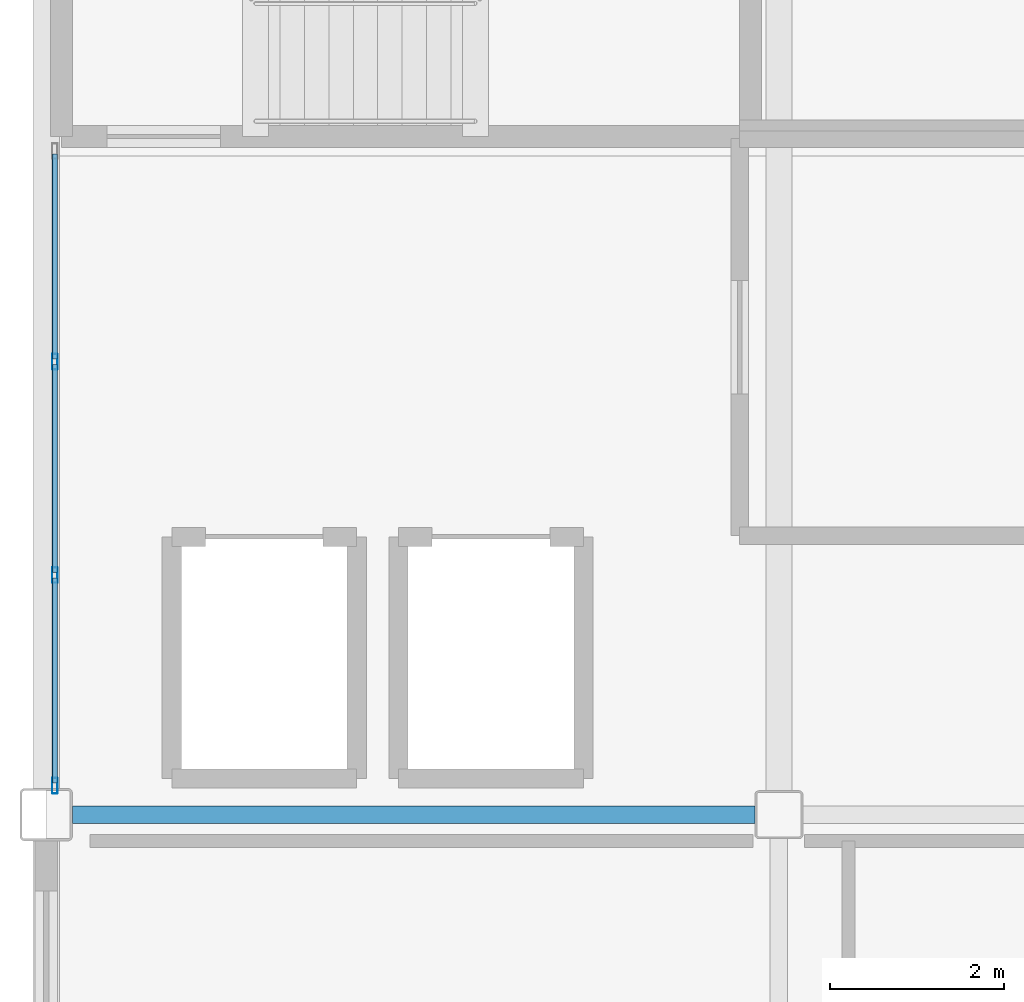
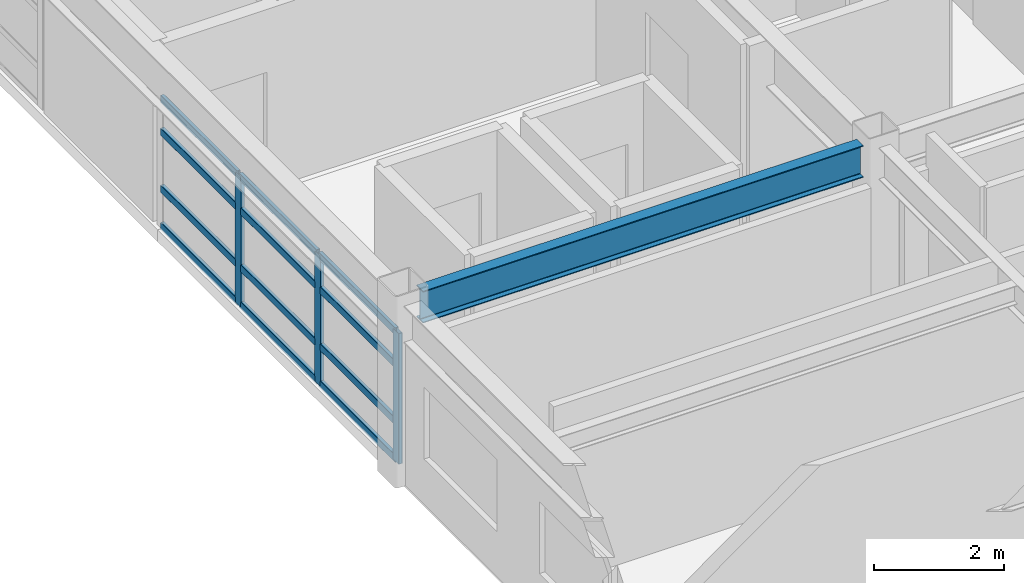
# One storey, part 12 of 36: 15 members, 1 beam, 1 element without a shape of its own.
"""IFC4 building model written with IfcOpenShell, lengths in metres."""

import ifcopenshell
import ifcopenshell.guid

model = None  # the IFC model being written
_history = None  # IfcOwnerHistory: only IFC2X3 demands one
_inside = {}  # id of a spatial element -> (the spatial element, [elements in it])
_under = {}  # id of a project, library or spatial element -> (it, [spatial elements below it])
_declared = {}  # id of a project -> (the project, [libraries it declares])
_typed = {}  # id of a type object -> (the type object, [elements of that type])
_made_of = {}  # id of a material, layer set ... -> (it, [elements and type objects made of it])


def new_model(schema):
    """Start an empty IFC model of exactly this schema.

    Asked for "IFC4X3", IfcOpenShell would pick the latest addendum, in which some entities
    have other attributes; the version numbers below select the first issue.
    IFC2X3 requires an IfcOwnerHistory on every rooted entity: one is made here for all.
    """
    global model, _history
    if schema == "IFC4X3":
        model = ifcopenshell.file(schema_version=(4, 3, 0, 0))
    else:
        model = ifcopenshell.file(schema=schema)
    _inside.clear()
    _under.clear()
    _declared.clear()
    _typed.clear()
    _made_of.clear()
    _history = None
    if model.schema == "IFC2X3":
        org = make("IfcOrganization", Name="unknown")
        user = make(
            "IfcPersonAndOrganization",
            ThePerson=make("IfcPerson", FamilyName="unknown"),
            TheOrganization=org,
        )
        app = make(
            "IfcApplication",
            ApplicationDeveloper=org,
            Version="unknown",
            ApplicationFullName="unknown",
            ApplicationIdentifier="unknown",
        )
        _history = make(
            "IfcOwnerHistory",
            OwningUser=user,
            OwningApplication=app,
            ChangeAction="ADDED",
            CreationDate=0,
        )
    return model


def make(cls, **values):
    """One entity of the class cls with the attributes given. An attribute that is None is left unset."""
    return model.create_entity(
        cls, **{name: value for name, value in values.items() if value is not None}
    )


def rooted(cls, **values):
    """An entity with a GlobalId (a new one), such as an element, a storey or a relation."""
    return make(cls, GlobalId=ifcopenshell.guid.new(), OwnerHistory=_history, **values)


def si_unit(unit_type, name, prefix=None):
    """IfcSIUnit, for example si_unit("LENGTHUNIT", "METRE", prefix="MILLI")."""
    return make("IfcSIUnit", UnitType=unit_type, Prefix=prefix, Name=name)


def assignment(units):
    """IfcUnitAssignment: the units of a project."""
    return None if units is None else make("IfcUnitAssignment", Units=units)


def point(xyz):
    """IfcCartesianPoint."""
    return None if xyz is None else make("IfcCartesianPoint", Coordinates=xyz)


def direction(xyz):
    """IfcDirection."""
    return None if xyz is None else make("IfcDirection", DirectionRatios=xyz)


def frame(location, z_axis=None, x_axis=None):
    """IfcAxis2Placement3D, a coordinate frame: its origin and axes. An axis left out is left unset."""
    return make(
        "IfcAxis2Placement3D",
        Location=point(location),
        Axis=direction(z_axis),
        RefDirection=direction(x_axis),
    )


def frame_2d(location, x_axis=None):
    """IfcAxis2Placement2D, a coordinate frame in the plane: its origin and x axis."""
    return make(
        "IfcAxis2Placement2D", Location=point(location), RefDirection=direction(x_axis)
    )


def origin():
    """The frame at (0, 0, 0) with its axes left unset."""
    return frame((0.0, 0.0, 0.0))


def origin_2d():
    """The frame at (0, 0) in the plane with its x axis left unset."""
    return frame_2d((0.0, 0.0))


def place(relative_to, where):
    """IfcLocalPlacement: puts the frame where relative to a parent placement (None: the world)."""
    return make(
        "IfcLocalPlacement", PlacementRelTo=relative_to, RelativePlacement=where
    )


def context(
    kind, dimensions, precision=None, world=None, true_north=None, identifier=None
):
    """IfcGeometricRepresentationContext, for example the 3D "Model" context."""
    return make(
        "IfcGeometricRepresentationContext",
        ContextIdentifier=identifier,
        ContextType=kind,
        CoordinateSpaceDimension=dimensions,
        Precision=precision,
        WorldCoordinateSystem=world,
        TrueNorth=true_north,
    )


def subcontext(parent, identifier, kind, view, scale=None):
    """IfcGeometricRepresentationSubContext, for example "Body" below "Model"."""
    return make(
        "IfcGeometricRepresentationSubContext",
        ContextIdentifier=identifier,
        ContextType=kind,
        ParentContext=parent,
        TargetScale=scale,
        TargetView=view,
    )


def project(units=None, contexts=None):
    """IfcProject with its units and contexts."""
    return rooted(
        "IfcProject",
        Name="project",
        RepresentationContexts=contexts,
        UnitsInContext=assignment(units),
    )


def spatial(cls, under=None, at=None, **own):
    """A site, building, storey or space (cls), placed at a placement, below another one or the project."""
    s = rooted(cls, ObjectPlacement=at, **own)
    if under is not None:
        _under.setdefault(under.id(), (under, []))[1].append(s)
    return s


def profile(cls, at=None, kind="AREA", **sizes):
    """A parametric profile (cls). Its sizes go by their IFC names, for example OverallWidth=200.0."""
    return make(cls, ProfileType=kind, Position=at, **sizes)


def hollow_rectangle(**sizes):
    """IfcRectangleHollowProfileDef."""
    return profile("IfcRectangleHollowProfileDef", **sizes)


def i_section(**sizes):
    """IfcIShapeProfileDef."""
    return profile("IfcIShapeProfileDef", **sizes)


def extrude(swept, where, along, depth):
    """IfcExtrudedAreaSolid: the profile swept, set in the frame where, extruded along a direction by depth."""
    return make(
        "IfcExtrudedAreaSolid",
        SweptArea=swept,
        Position=where,
        ExtrudedDirection=direction(along),
        Depth=depth,
    )


def shape(context_of_items, identifier, shape_type, items):
    """IfcShapeRepresentation: the items that make up one representation, for example the "Body"."""
    return make(
        "IfcShapeRepresentation",
        ContextOfItems=context_of_items,
        RepresentationIdentifier=identifier,
        RepresentationType=shape_type,
        Items=items,
    )


def material(Name=None, Category=None):
    """IfcMaterial."""
    return make("IfcMaterial", Name=Name, Category=Category)


def layer(
    of_material, thickness, ventilated=None, Name=None, Category=None, Priority=None
):
    """IfcMaterialLayer: one layer of a wall or slab, of a material (None: an air gap)."""
    return make(
        "IfcMaterialLayer",
        Material=of_material,
        LayerThickness=thickness,
        IsVentilated=ventilated,
        Name=Name,
        Category=Category,
        Priority=Priority,
    )


def layer_set(layers, Name=None):
    """IfcMaterialLayerSet."""
    return make("IfcMaterialLayerSet", MaterialLayers=layers, LayerSetName=Name)


def material_profile(
    of_material, cross_section, Name=None, Category=None, Priority=None
):
    """IfcMaterialProfile: a cross section and its material."""
    return make(
        "IfcMaterialProfile",
        Name=Name,
        Material=of_material,
        Profile=cross_section,
        Priority=Priority,
        Category=Category,
    )


def profile_set(profiles, Name=None, composite=None):
    """IfcMaterialProfileSet."""
    return make(
        "IfcMaterialProfileSet",
        Name=Name,
        MaterialProfiles=profiles,
        CompositeProfile=composite,
    )


def made_of(thing, what):
    """Note that an element or type object is made of a material, layer set ...; save() writes the relation."""
    if what is not None:
        _made_of.setdefault(what.id(), (what, []))[1].append(thing)
    return thing


def type_object(cls, material=None, **own):
    """A type object (cls), such as IfcWallType, which elements share."""
    return made_of(rooted(cls, **own), material)


def element(
    cls,
    number,
    at=None,
    inside=None,
    cuts=None,
    type_object=None,
    material=None,
    context=None,
    identifier="Body",
    shape_type=None,
    held_by="IfcProductDefinitionShape",
    body=None,
    shapes=None,
    **own,
):
    """One element of the class cls, such as IfcWall. Its Tag is "e" and its number.

    at: its placement. inside: the storey or other place that contains it. cuts: it is an
    opening in that element (IfcRelVoidsElement). A single representation is given by context,
    identifier, shape_type and body (its items); several are given by shapes. held_by: the class
    of the entity that holds the representations. save() writes the other relations.
    """
    e = rooted(cls, Tag="e%d" % number, ObjectPlacement=at, **own)
    if body is not None:
        shapes = [shape(context, identifier, shape_type, body)]
    if shapes is not None:
        e.Representation = make(held_by, Representations=shapes)
    if inside is not None:
        _inside.setdefault(inside.id(), (inside, []))[1].append(e)
    if cuts is not None:
        rooted(
            "IfcRelVoidsElement", RelatingBuildingElement=cuts, RelatedOpeningElement=e
        )
    if type_object is not None:
        _typed.setdefault(type_object.id(), (type_object, []))[1].append(e)
    return made_of(e, material)


def aggregate(whole, parts):
    """IfcRelAggregates: a whole, such as a stair, and the parts it consists of."""
    return rooted("IfcRelAggregates", RelatingObject=whole, RelatedObjects=parts)


def save(model, path):
    """Write the relations noted so far, then the file.

    IfcRelAggregates (storeys below a building ...), IfcRelContainedInSpatialStructure (elements
    in a storey), IfcRelDefinesByType, IfcRelAssociatesMaterial and IfcRelDeclares: one each for
    every whole, place, type object, material and project.
    """
    for whole, parts in _under.values():
        aggregate(whole, parts)
    for where, things in _inside.values():
        rooted(
            "IfcRelContainedInSpatialStructure",
            RelatedElements=things,
            RelatingStructure=where,
        )
    for kind, things in _typed.values():
        rooted("IfcRelDefinesByType", RelatedObjects=things, RelatingType=kind)
    for what, things in _made_of.values():
        rooted("IfcRelAssociatesMaterial", RelatedObjects=things, RelatingMaterial=what)
    for by, libraries in _declared.values():
        rooted("IfcRelDeclares", RelatingContext=by, RelatedDefinitions=libraries)
    model.write(path)


model = new_model("IFC4")

# Units and contexts
model_context = context("Model", 3, precision=1e-05, world=origin(), true_north=direction((0.0, 1.0)))
body_context = subcontext(model_context, "Body", "Model", "MODEL_VIEW")
ifc_project = project(units=[si_unit("LENGTHUNIT", "METRE"), si_unit("AREAUNIT", "SQUARE_METRE"), si_unit("VOLUMEUNIT", "CUBIC_METRE"), si_unit("PLANEANGLEUNIT", "RADIAN"), si_unit("MASSUNIT", "GRAM", prefix="KILO")], contexts=[model_context])

# Site, building, storey
site_placement = place(None, origin())
site = spatial("IfcSite", under=ifc_project, at=site_placement, CompositionType="ELEMENT")
building_placement = place(site_placement, origin())
building = spatial("IfcBuilding", under=site, at=building_placement, Name="Kazehara Bluff Congress Hotel", CompositionType="ELEMENT")
storey_placement = place(building_placement, frame((0.0, 0.0, 31.800048828125)))
storey = spatial("IfcBuildingStorey", under=building, at=storey_placement, Name="L07", CompositionType="ELEMENT", Elevation=31.800048828125)

# Curtain wall, members
ifc_material_1 = material(Name="Anodised aluminium", Category="aluminium")
ifc_layer = layer(ifc_material_1, 0.159912109375)
ifc_layer_set = layer_set([ifc_layer], Name="Anodised aluminium")
curtain_wall_type = type_object("IfcCurtainWallType", Name="TP-CW-177", PredefinedType="NOTDEFINED", material=ifc_layer_set)
curtain_wall_placement = place(storey_placement, origin())
curtain_wall = element("IfcCurtainWall", 1, at=curtain_wall_placement, inside=storey, type_object=curtain_wall_type, Name="L07 curtain wall CW-177 CW-ENC-V5-L07-14380-4487", PredefinedType="NOTDEFINED")
ifc_material_2 = material(Name="Anodised aluminium", Category="aluminium")
ifc_material_profile_1 = material_profile(ifc_material_2, hollow_rectangle(XDim=0.06494140625, YDim=0.179931640625, WallThickness=0.00390625, InnerFilletRadius=0.00390625, OuterFilletRadius=0.008056640625, at=origin_2d()))
ifc_profile_set_1 = profile_set([ifc_material_profile_1], Name="Anodised aluminium")
member_type_1 = type_object("IfcMemberType", Name="TP-CWM-02", PredefinedType="MULLION", material=ifc_profile_set_1)
member_1_placement = place(storey_placement, frame((143.800048828125, 41.232421875, 0.0), z_axis=(0.0, 0.0, 1.0), x_axis=(-1.0, 0.0, 0.0)))
member_1 = element("IfcMember", 2, at=member_1_placement, type_object=member_type_1, Name="CW-177 mullion 1", PredefinedType="MULLION", context=body_context, shape_type="SweptSolid", body=[
    extrude(hollow_rectangle(XDim=0.06494140625, YDim=0.179931640625, WallThickness=0.00390625, InnerFilletRadius=0.00390625, OuterFilletRadius=0.008056640625, at=origin_2d()), origin(), (0.0, 0.0, 1.0), 2.454833984375),
])
member_2_placement = place(storey_placement, frame((143.800048828125, 43.646728515625, 0.0), z_axis=(0.0, 0.0, 1.0), x_axis=(-1.0, 0.0, 0.0)))
member_2 = element("IfcMember", 3, at=member_2_placement, type_object=member_type_1, Name="CW-177 mullion 2", PredefinedType="MULLION", context=body_context, shape_type="SweptSolid", body=[
    extrude(hollow_rectangle(XDim=0.06494140625, YDim=0.179931640625, WallThickness=0.00390625, InnerFilletRadius=0.00390625, OuterFilletRadius=0.008056640625, at=origin_2d()), origin(), (0.0, 0.0, 1.0), 2.454833984375),
])
member_3_placement = place(storey_placement, frame((143.800048828125, 46.09326171875, 0.0), z_axis=(0.0, 0.0, 1.0), x_axis=(-1.0, 0.0, 0.0)))
member_3 = element("IfcMember", 4, at=member_3_placement, type_object=member_type_1, Name="CW-177 mullion 3", PredefinedType="MULLION", context=body_context, shape_type="SweptSolid", body=[
    extrude(hollow_rectangle(XDim=0.06494140625, YDim=0.179931640625, WallThickness=0.00390625, InnerFilletRadius=0.00390625, OuterFilletRadius=0.008056640625, at=origin_2d()), origin(), (0.0, 0.0, 1.0), 2.454833984375),
])
ifc_material_3 = material(Name="Anodised aluminium", Category="aluminium")
ifc_material_profile_2 = material_profile(ifc_material_3, hollow_rectangle(XDim=0.06494140625, YDim=0.139892578125, WallThickness=0.00390625, InnerFilletRadius=0.00390625, OuterFilletRadius=0.008056640625, at=origin_2d()))
ifc_profile_set_2 = profile_set([ifc_material_profile_2], Name="Anodised aluminium")
member_type_2 = type_object("IfcMemberType", Name="TP-CWT-02", PredefinedType="USERDEFINED", material=ifc_profile_set_2)
member_4_placement = place(storey_placement, frame((143.800048828125, 41.264892578125, 0.032470703125), z_axis=(0.0, 1.0, 0.0), x_axis=(-1.0, 0.0, 0.0)))
member_4 = element("IfcMember", 5, at=member_4_placement, type_object=member_type_2, Name="CW-177 transom 1.1", ObjectType="TRANSOM", PredefinedType="USERDEFINED", context=body_context, shape_type="SweptSolid", body=[
    extrude(hollow_rectangle(XDim=0.06494140625, YDim=0.139892578125, WallThickness=0.00390625, InnerFilletRadius=0.00390625, OuterFilletRadius=0.008056640625, at=origin_2d()), origin(), (0.0, 0.0, 1.0), 2.349365234375),
])
member_5_placement = place(storey_placement, frame((143.800048828125, 41.264892578125, 0.73486328125), z_axis=(0.0, 1.0, 0.0), x_axis=(-1.0, 0.0, 0.0)))
member_5 = element("IfcMember", 6, at=member_5_placement, type_object=member_type_2, Name="CW-177 transom 1.2", ObjectType="TRANSOM", PredefinedType="USERDEFINED", context=body_context, shape_type="SweptSolid", body=[
    extrude(hollow_rectangle(XDim=0.06494140625, YDim=0.139892578125, WallThickness=0.00390625, InnerFilletRadius=0.00390625, OuterFilletRadius=0.008056640625, at=origin_2d()), origin(), (0.0, 0.0, 1.0), 2.349365234375),
])
member_6_placement = place(storey_placement, frame((143.800048828125, 41.264892578125, 1.804931640625), z_axis=(0.0, 1.0, 0.0), x_axis=(-1.0, 0.0, 0.0)))
member_6 = element("IfcMember", 7, at=member_6_placement, type_object=member_type_2, Name="CW-177 transom 1.3", ObjectType="TRANSOM", PredefinedType="USERDEFINED", context=body_context, shape_type="SweptSolid", body=[
    extrude(hollow_rectangle(XDim=0.06494140625, YDim=0.139892578125, WallThickness=0.00390625, InnerFilletRadius=0.00390625, OuterFilletRadius=0.008056640625, at=origin_2d()), origin(), (0.0, 0.0, 1.0), 2.349365234375),
])
member_7_placement = place(storey_placement, frame((143.800048828125, 41.264892578125, 2.42236328125), z_axis=(0.0, 1.0, 0.0), x_axis=(-1.0, 0.0, 0.0)))
member_7 = element("IfcMember", 8, at=member_7_placement, type_object=member_type_2, Name="CW-177 transom 1.4", ObjectType="TRANSOM", PredefinedType="USERDEFINED", context=body_context, shape_type="SweptSolid", body=[
    extrude(hollow_rectangle(XDim=0.06494140625, YDim=0.139892578125, WallThickness=0.00390625, InnerFilletRadius=0.00390625, OuterFilletRadius=0.008056640625, at=origin_2d()), origin(), (0.0, 0.0, 1.0), 2.349365234375),
])
member_8_placement = place(storey_placement, frame((143.800048828125, 43.67919921875, 0.032470703125), z_axis=(0.0, 1.0, 0.0), x_axis=(-1.0, 0.0, 0.0)))
member_8 = element("IfcMember", 9, at=member_8_placement, type_object=member_type_2, Name="CW-177 transom 2.1", ObjectType="TRANSOM", PredefinedType="USERDEFINED", context=body_context, shape_type="SweptSolid", body=[
    extrude(hollow_rectangle(XDim=0.06494140625, YDim=0.139892578125, WallThickness=0.00390625, InnerFilletRadius=0.00390625, OuterFilletRadius=0.008056640625, at=origin_2d()), origin(), (0.0, 0.0, 1.0), 2.381591796875),
])
member_9_placement = place(storey_placement, frame((143.800048828125, 43.67919921875, 0.73486328125), z_axis=(0.0, 1.0, 0.0), x_axis=(-1.0, 0.0, 0.0)))
member_9 = element("IfcMember", 10, at=member_9_placement, type_object=member_type_2, Name="CW-177 transom 2.2", ObjectType="TRANSOM", PredefinedType="USERDEFINED", context=body_context, shape_type="SweptSolid", body=[
    extrude(hollow_rectangle(XDim=0.06494140625, YDim=0.139892578125, WallThickness=0.00390625, InnerFilletRadius=0.00390625, OuterFilletRadius=0.008056640625, at=origin_2d()), origin(), (0.0, 0.0, 1.0), 2.381591796875),
])
member_10_placement = place(storey_placement, frame((143.800048828125, 43.67919921875, 1.804931640625), z_axis=(0.0, 1.0, 0.0), x_axis=(-1.0, 0.0, 0.0)))
member_10 = element("IfcMember", 11, at=member_10_placement, type_object=member_type_2, Name="CW-177 transom 2.3", ObjectType="TRANSOM", PredefinedType="USERDEFINED", context=body_context, shape_type="SweptSolid", body=[
    extrude(hollow_rectangle(XDim=0.06494140625, YDim=0.139892578125, WallThickness=0.00390625, InnerFilletRadius=0.00390625, OuterFilletRadius=0.008056640625, at=origin_2d()), origin(), (0.0, 0.0, 1.0), 2.381591796875),
])
member_11_placement = place(storey_placement, frame((143.800048828125, 43.67919921875, 2.42236328125), z_axis=(0.0, 1.0, 0.0), x_axis=(-1.0, 0.0, 0.0)))
member_11 = element("IfcMember", 12, at=member_11_placement, type_object=member_type_2, Name="CW-177 transom 2.4", ObjectType="TRANSOM", PredefinedType="USERDEFINED", context=body_context, shape_type="SweptSolid", body=[
    extrude(hollow_rectangle(XDim=0.06494140625, YDim=0.139892578125, WallThickness=0.00390625, InnerFilletRadius=0.00390625, OuterFilletRadius=0.008056640625, at=origin_2d()), origin(), (0.0, 0.0, 1.0), 2.381591796875),
])
member_12_placement = place(storey_placement, frame((143.800048828125, 46.125732421875, 0.032470703125), z_axis=(0.0, 1.0, 0.0), x_axis=(-1.0, 0.0, 0.0)))
member_12 = element("IfcMember", 13, at=member_12_placement, type_object=member_type_2, Name="CW-177 transom 3.1", ObjectType="TRANSOM", PredefinedType="USERDEFINED", context=body_context, shape_type="SweptSolid", body=[
    extrude(hollow_rectangle(XDim=0.06494140625, YDim=0.139892578125, WallThickness=0.00390625, InnerFilletRadius=0.00390625, OuterFilletRadius=0.008056640625, at=origin_2d()), origin(), (0.0, 0.0, 1.0), 2.349365234375),
])
member_13_placement = place(storey_placement, frame((143.800048828125, 46.125732421875, 0.73486328125), z_axis=(0.0, 1.0, 0.0), x_axis=(-1.0, 0.0, 0.0)))
member_13 = element("IfcMember", 14, at=member_13_placement, type_object=member_type_2, Name="CW-177 transom 3.2", ObjectType="TRANSOM", PredefinedType="USERDEFINED", context=body_context, shape_type="SweptSolid", body=[
    extrude(hollow_rectangle(XDim=0.06494140625, YDim=0.139892578125, WallThickness=0.00390625, InnerFilletRadius=0.00390625, OuterFilletRadius=0.008056640625, at=origin_2d()), origin(), (0.0, 0.0, 1.0), 2.349365234375),
])
member_14_placement = place(storey_placement, frame((143.800048828125, 46.125732421875, 1.804931640625), z_axis=(0.0, 1.0, 0.0), x_axis=(-1.0, 0.0, 0.0)))
member_14 = element("IfcMember", 15, at=member_14_placement, type_object=member_type_2, Name="CW-177 transom 3.3", ObjectType="TRANSOM", PredefinedType="USERDEFINED", context=body_context, shape_type="SweptSolid", body=[
    extrude(hollow_rectangle(XDim=0.06494140625, YDim=0.139892578125, WallThickness=0.00390625, InnerFilletRadius=0.00390625, OuterFilletRadius=0.008056640625, at=origin_2d()), origin(), (0.0, 0.0, 1.0), 2.349365234375),
])
member_15_placement = place(storey_placement, frame((143.800048828125, 46.125732421875, 2.42236328125), z_axis=(0.0, 1.0, 0.0), x_axis=(-1.0, 0.0, 0.0)))
member_15 = element("IfcMember", 16, at=member_15_placement, type_object=member_type_2, Name="CW-177 transom 3.4", ObjectType="TRANSOM", PredefinedType="USERDEFINED", context=body_context, shape_type="SweptSolid", body=[
    extrude(hollow_rectangle(XDim=0.06494140625, YDim=0.139892578125, WallThickness=0.00390625, InnerFilletRadius=0.00390625, OuterFilletRadius=0.008056640625, at=origin_2d()), origin(), (0.0, 0.0, 1.0), 2.349365234375),
])
aggregate(curtain_wall, [member_1, member_2, member_3, member_4, member_5, member_6, member_7, member_8, member_9, member_10, member_11, member_12, member_13, member_14, member_15])

# Beam
ifc_material_4 = material(Name="Steel SN490B", Category="steel")
ifc_material_profile_3 = material_profile(ifc_material_4, i_section(OverallWidth=0.199951171875, OverallDepth=0.60009765625, WebThickness=0.010986328125, FlangeThickness=0.01708984375, FilletRadius=0.012939453125, at=origin_2d()))
ifc_profile_set_3 = profile_set([ifc_material_profile_3], Name="Steel SN490B")
beam_type = type_object("IfcBeamType", Name="TP-G-02", PredefinedType="BEAM", material=ifc_profile_set_3)
beam_placement = place(storey_placement, frame((144.0, 40.89990234375, 3.079833984375), z_axis=(1.0, 0.0, 0.0), x_axis=(0.0, 1.0, 0.0)))
element("IfcBeam", 17, at=beam_placement, inside=storey, type_object=beam_type, Name="L07 girder G-02 48", PredefinedType="BEAM", context=body_context, shape_type="SweptSolid", body=[
    extrude(i_section(OverallWidth=0.199951171875, OverallDepth=0.60009765625, WebThickness=0.010986328125, FlangeThickness=0.01708984375, FilletRadius=0.012939453125, at=origin_2d()), origin(), (0.0, 0.0, 1.0), 7.824951171875),
])

save(model, "model.ifc")
